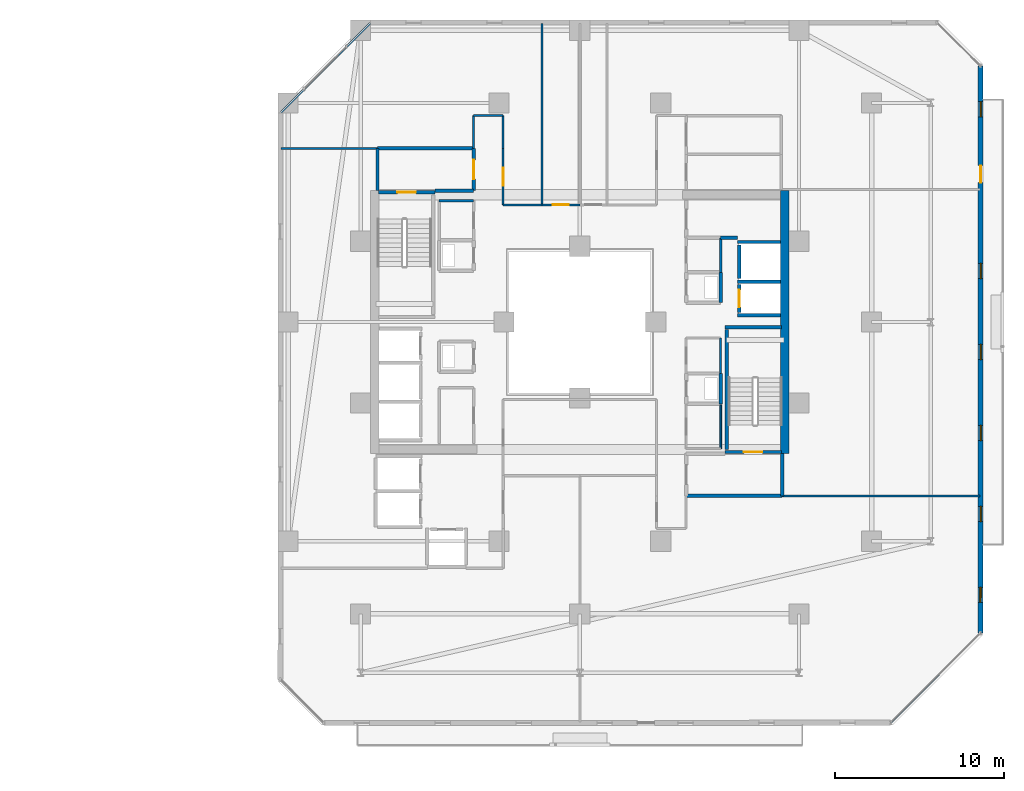
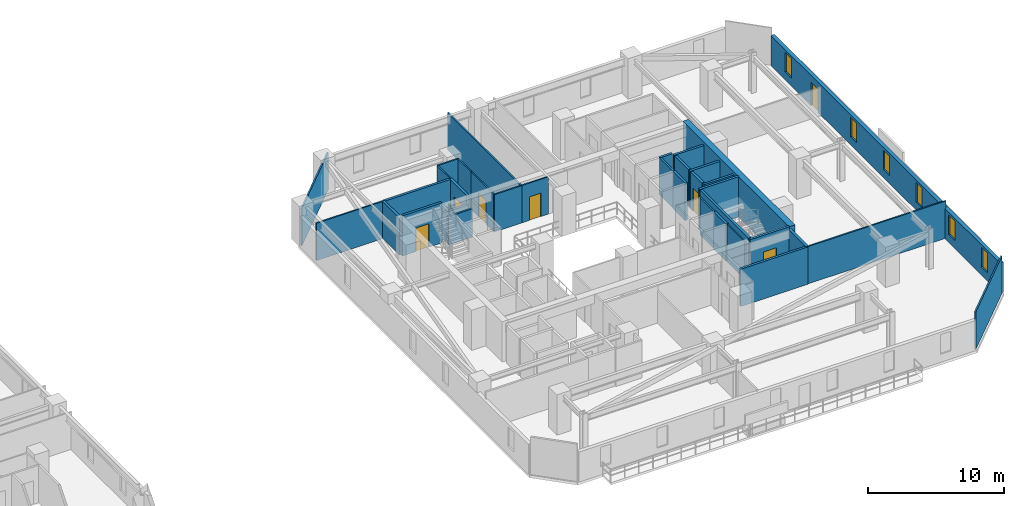
# One storey, part 24 of 33: 35 walls, 7 doors, 6 windows, 13 openings.
"""IFC4 building model written with IfcOpenShell, lengths in metres."""

from ifc_helpers import new_model, si_unit, direction, frame, frame_2d, origin, place, context, subcontext, project, spatial, rectangle, extrude, material, layer, layer_set, type_object, element, fill, save


model = new_model("IFC4")

# Units and contexts
model_context = context("Model", 3, precision=1e-05, world=origin(), true_north=direction((0.0, 1.0)))
body_context = subcontext(model_context, "Body", "Model", "MODEL_VIEW")
ifc_project = project(units=[si_unit("LENGTHUNIT", "METRE"), si_unit("AREAUNIT", "SQUARE_METRE"), si_unit("VOLUMEUNIT", "CUBIC_METRE"), si_unit("PLANEANGLEUNIT", "RADIAN"), si_unit("MASSUNIT", "GRAM", prefix="KILO")], contexts=[model_context])

# Site, building, storey
site_placement = place(None, origin())
site = spatial("IfcSite", under=ifc_project, at=site_placement, CompositionType="ELEMENT")
building_placement = place(site_placement, origin())
building = spatial("IfcBuilding", under=site, at=building_placement, Name="Thornwick Lancets Civic Towers", CompositionType="ELEMENT")
storey_placement = place(building_placement, frame((0.0, 0.0, 130.5)))
storey = spatial("IfcBuildingStorey", under=building, at=storey_placement, Name="L34", CompositionType="ELEMENT", Elevation=130.5)

# Wall, opening, door
ifc_material_1 = material(Name="Concrete blockwork C40/50", Category="masonry")
ifc_layer_1 = layer(ifc_material_1, 0.199951171875, Name="Concrete blockwork C40/50")
ifc_layer_set_1 = layer_set([ifc_layer_1], Name="Concrete blockwork C40/50")
wall_type_1 = type_object("IfcWallType", Name="WALL_COMP_200", PredefinedType="STANDARD", material=ifc_layer_set_1)
wall_1_placement = place(storey_placement, frame((97.949951171875, 29.219970703125, 0.0), z_axis=(0.0, 0.0, 1.0), x_axis=(0.0, -1.0, 0.0)))
wall_1 = element("IfcWall", 1, at=wall_1_placement, inside=storey, type_object=wall_type_1, Name="L34 Hoistway Front Wall FL-B1", PredefinedType="STANDARD", context=body_context, shape_type="SweptSolid", body=[
    extrude(rectangle(XDim=1.639892578125, YDim=0.199951171875, at=frame_2d((0.81982421875, 0.0))), origin(), (0.0, 0.0, 1.0), 3.340087890625),
])
opening_1_placement = place(wall_1_placement, frame((0.31005859375, 0.0, 0.0)))
opening_1 = element("IfcOpeningElement", 2, at=opening_1_placement, cuts=wall_1, Name="Opening LD-FL-B1", PredefinedType="OPENING", context=body_context, shape_type="SweptSolid", body=[
    extrude(rectangle(XDim=1.02001953125, YDim=2.06005859375, at=frame_2d((0.510009765625, 1.030029296875))), frame((0.0, 0.10986328125, 0.0), z_axis=(0.0, -1.0, 0.0), x_axis=(1.0, 0.0, 0.0)), (0.0, 0.0, 1.0), 0.219970703125),
])
ifc_material_2 = material(Name="Brushed bronze stainless steel", Category="steel")
door_type_1 = type_object("IfcDoorType", Name="DOOR_LIFT_SLIDE", OperationType="SLIDING_TO_LEFT", PredefinedType="DOOR", material=ifc_material_2)
door_1_placement = place(opening_1_placement, origin())
door_1 = element("IfcDoor", 3, at=door_1_placement, inside=storey, type_object=door_type_1, Name="L34 Sliding Lift Landing Door LD-FL-B1", OperationType="SLIDING_TO_LEFT", OverallHeight=2.06005859375, OverallWidth=1.02001953125, PredefinedType="DOOR", context=body_context, shape_type="SweptSolid", body=[
    extrude(rectangle(XDim=1.02001953125, YDim=2.06005859375, at=frame_2d((0.510009765625, 1.030029296875))), frame((0.0, 0.02490234375, 0.0), z_axis=(0.0, -1.0, 0.0), x_axis=(1.0, 0.0, 0.0)), (0.0, 0.0, 1.0), 0.050048828125),
])
fill(opening_1, door_1)

# Walls
wall_2_placement = place(storey_placement, frame((97.949951171875, 31.570068359375, 0.0), z_axis=(0.0, 0.0, 1.0), x_axis=(0.0, -1.0, 0.0)))
element("IfcWall", 4, at=wall_2_placement, inside=storey, type_object=wall_type_1, Name="L34 Hoistway Front Wall PL-BH1", PredefinedType="STANDARD", context=body_context, shape_type="SweptSolid", body=[
    extrude(rectangle(XDim=1.989990234375, YDim=0.199951171875, at=frame_2d((0.9951171875, 0.0))), origin(), (0.0, 0.0, 1.0), 3.340087890625),
])
for number, where, z_axis, x_axis, name in (
    (5, (97.85205078125, 29.39990234375, 0.0), (0.0, 0.0, 1.0), (1.0, 0.0, 0.0), "L34 Hoistway Shaft Wall FL-B1 N"),
    (6, (97.85205078125, 27.39990234375, 0.0), (0.0, 0.0, 1.0), (1.0, 0.0, 0.0), "L34 Hoistway Shaft Wall FL-B1 S"),
    (7, (97.85205078125, 31.75, 0.0), (0.0, 0.0, 1.0), (1.0, 0.0, 0.0), "L34 Hoistway Shaft Wall PL-BH1 N"),
):
    element("IfcWall", number, at=place(storey_placement, frame(where, z_axis=z_axis, x_axis=x_axis)), inside=storey, type_object=wall_type_1, Name=name, PredefinedType="STANDARD", context=body_context, shape_type="SweptSolid", body=[
        extrude(rectangle(XDim=2.535888671875, YDim=0.199951171875, at=frame_2d((1.26806640625, 0.0))), origin(), (0.0, 0.0, 1.0), 3.340087890625),
    ])
wall_3_placement = place(storey_placement, frame((94.800048828125, 16.699951171875, 0.0), z_axis=(0.0, 0.0, 1.0), x_axis=(1.0, 0.0, 0.0)))
element("IfcWall", 8, at=wall_3_placement, inside=storey, type_object=wall_type_1, Name="L34 Partition L34-B-FFLOB1 E1", PredefinedType="STANDARD", context=body_context, shape_type="SweptSolid", body=[
    extrude(rectangle(XDim=5.699951171875, YDim=0.199951171875, at=frame_2d((2.85009765625, 0.0))), origin(), (0.0, 0.0, 1.0), 3.340087890625),
])
wall_4_placement = place(storey_placement, frame((100.5, 16.699951171875, 0.0), z_axis=(0.0, 0.0, 1.0), x_axis=(0.0, 1.0, 0.0)))
element("IfcWall", 9, at=wall_4_placement, inside=storey, type_object=wall_type_1, Name="L34 Partition L34-B-FFLOB1 E2", PredefinedType="STANDARD", context=body_context, shape_type="SweptSolid", body=[
    extrude(rectangle(XDim=2.5, YDim=0.199951171875, at=frame_2d((1.25, 0.0))), origin(), (0.0, 0.0, 1.0), 3.340087890625),
])
wall_5_placement = place(storey_placement, frame((79.89990234375, 34.800048828125, 0.0), z_axis=(0.0, 0.0, 1.0), x_axis=(1.0, 0.0, 0.0)))
element("IfcWall", 10, at=wall_5_placement, inside=storey, type_object=wall_type_1, Name="L34 Partition L34-B-FFLOB2 E1", PredefinedType="STANDARD", context=body_context, shape_type="SweptSolid", body=[
    extrude(rectangle(XDim=2.300048828125, YDim=0.199951171875, at=frame_2d((1.14990234375, 0.0))), origin(), (0.0, 0.0, 1.0), 2.544921875),
])

# Wall, opening, door
wall_6_placement = place(storey_placement, frame((82.199951171875, 34.800048828125, 0.0), z_axis=(0.0, 0.0, 1.0), x_axis=(0.0, 1.0, 0.0)))
wall_6 = element("IfcWall", 11, at=wall_6_placement, inside=storey, type_object=wall_type_1, Name="L34 Partition L34-B-FFLOB2 E2", PredefinedType="STANDARD", context=body_context, shape_type="SweptSolid", body=[
    extrude(rectangle(XDim=2.5, YDim=0.199951171875, at=frame_2d((1.25, 0.0))), origin(), (0.0, 0.0, 1.0), 3.340087890625),
])
opening_2_placement = place(wall_6_placement, frame((0.675048828125, 0.0, 0.0)))
opening_2 = element("IfcOpeningElement", 12, at=opening_2_placement, cuts=wall_6, Name="Opening D-L34-1542", PredefinedType="OPENING", context=body_context, shape_type="SweptSolid", body=[
    extrude(rectangle(XDim=1.14990234375, YDim=2.10009765625, at=frame_2d((0.574951171875, 1.050048828125))), frame((0.0, 0.10986328125, 0.0), z_axis=(0.0, -1.0, 0.0), x_axis=(1.0, 0.0, 0.0)), (0.0, 0.0, 1.0), 0.219970703125),
])
ifc_material_3 = material(Name="Glazed fire-resisting steel", Category="steel")
door_type_2 = type_object("IfcDoorType", Name="DOOR_LOBBY_FD60", OperationType="NOTDEFINED", PredefinedType="DOOR", material=ifc_material_3)
door_2_placement = place(opening_2_placement, origin())
door_2 = element("IfcDoor", 13, at=door_2_placement, inside=storey, type_object=door_type_2, Name="L34 West Firefighting Lobby 2 Door", OperationType="SINGLE_SWING_LEFT", OverallHeight=2.10009765625, OverallWidth=1.14990234375, PredefinedType="DOOR", context=body_context, shape_type="SweptSolid", body=[
    extrude(rectangle(XDim=1.14990234375, YDim=2.10009765625, at=frame_2d((0.574951171875, 1.050048828125))), frame((0.0, 0.02490234375, 0.0), z_axis=(0.0, -1.0, 0.0), x_axis=(1.0, 0.0, 0.0)), (0.0, 0.0, 1.0), 0.050048828125),
])
fill(opening_2, door_2)

# Walls
wall_7_placement = place(storey_placement, frame((82.199951171875, 37.300048828125, 0.0), z_axis=(0.0, 0.0, 1.0), x_axis=(-1.0, 0.0, 0.0)))
element("IfcWall", 14, at=wall_7_placement, inside=storey, type_object=wall_type_1, Name="L34 Partition L34-B-FFLOB2 E3", PredefinedType="STANDARD", context=body_context, shape_type="SweptSolid", body=[
    extrude(rectangle(XDim=5.699951171875, YDim=0.199951171875, at=frame_2d((2.85009765625, 0.0))), origin(), (0.0, 0.0, 1.0), 3.340087890625),
])
wall_8_placement = place(storey_placement, frame((76.5, 37.300048828125, 0.0), z_axis=(0.0, 0.0, 1.0), x_axis=(0.0, -1.0, 0.0)))
element("IfcWall", 15, at=wall_8_placement, inside=storey, type_object=wall_type_1, Name="L34 Partition L34-B-FFLOB2 E4", PredefinedType="STANDARD", context=body_context, shape_type="SweptSolid", body=[
    extrude(rectangle(XDim=2.5, YDim=0.199951171875, at=frame_2d((1.25, 0.0))), origin(), (0.0, 0.0, 1.0), 3.340087890625),
])
for number, where, z_axis, x_axis, name in (
    (16, (96.85009765625, 28.14990234375, 0.0), (0.0, 0.0, 1.0), (0.0, 1.0, 0.0), "L34 Partition L34-B-DUCT1 E2"),
    (17, (96.85009765625, 22.14990234375, 0.0), (0.0, 0.0, 1.0), (0.0, 1.0, 0.0), "L34 Partition L34-B-RISER1 E2"),
):
    element("IfcWall", number, at=place(storey_placement, frame(where, z_axis=z_axis, x_axis=x_axis)), inside=storey, type_object=wall_type_1, Name=name, PredefinedType="STANDARD", context=body_context, shape_type="SweptSolid", body=[
        extrude(rectangle(XDim=1.800048828125, YDim=0.199951171875, at=frame_2d((0.89990234375, 0.0))), origin(), (0.0, 0.0, 1.0), 3.340087890625),
    ])
wall_9_placement = place(storey_placement, frame((97.85205078125, 32.0, 0.0), z_axis=(0.0, 0.0, 1.0), x_axis=(-1.0, 0.0, 0.0)))
element("IfcWall", 18, at=wall_9_placement, inside=storey, type_object=wall_type_1, Name="L34 Partition L34-B-STR2 E4", PredefinedType="STANDARD", context=body_context, shape_type="SweptSolid", body=[
    extrude(rectangle(XDim=1.001953125, YDim=0.199951171875, at=frame_2d((0.5009765625, 0.0))), origin(), (0.0, 0.0, 1.0), 3.340087890625),
])
ifc_material_4 = material(Name="Concrete C50/60", Category="concrete")
ifc_layer_2 = layer(ifc_material_4, 0.5, Name="Concrete C50/60")
ifc_layer_set_2 = layer_set([ifc_layer_2], Name="Concrete C50/60")
wall_type_2 = type_object("IfcWallType", Name="WALL_CORE_500", PredefinedType="SHEAR", material=ifc_layer_set_2)
wall_10_placement = place(storey_placement, frame((100.64990234375, 19.199951171875, 0.0), z_axis=(0.0, 0.0, 1.0), x_axis=(0.0, 1.0, 0.0)))
element("IfcWall", 19, at=wall_10_placement, inside=storey, type_object=wall_type_2, Name="L34 Split Core B1 Shear Wall E", PredefinedType="SHEAR", context=body_context, shape_type="SweptSolid", body=[
    extrude(rectangle(XDim=15.60009765625, YDim=0.5, at=frame_2d((7.800048828125, 0.0))), origin(), (0.0, 0.0, 1.0), 3.60009765625),
])

# Wall, openings, door, windows
ifc_material_5 = material(Name="Insulated russet terracotta rainscreen on concrete C40/50", Category="masonry")
ifc_layer_3 = layer(ifc_material_5, 0.300048828125, Name="Insulated russet terracotta rainscreen on concrete C40/50")
ifc_layer_set_3 = layer_set([ifc_layer_3], Name="Insulated russet terracotta rainscreen on concrete C40/50")
wall_type_3 = type_object("IfcWallType", Name="WALL_EXT_RUSSET_300", PredefinedType="STANDARD", material=ifc_layer_set_3)
wall_11_placement = place(storey_placement, frame((112.255615234375, 8.576416015625, 0.0), z_axis=(0.0, 0.0, 1.0), x_axis=(0.000268805477, 0.999999963872, 0.0)))
wall_11 = element("IfcWall", 20, at=wall_11_placement, inside=storey, type_object=wall_type_3, Name="L34 Tower B Terracotta Facade Wall E2", PredefinedType="STANDARD", context=body_context, shape_type="SweptSolid", body=[
    extrude(rectangle(XDim=33.60498046875, YDim=0.300048828125, at=frame_2d((16.802490234375, 0.0))), origin(), (0.0, 0.0, 1.0), 2.699951171875),
])
opening_3_placement = place(wall_11_placement, frame((26.702392578125, 0.0, 0.0)))
opening_3 = element("IfcOpeningElement", 21, at=opening_3_placement, cuts=wall_11, Name="Opening D-BL-L34-BE", PredefinedType="OPENING", context=body_context, shape_type="SweptSolid", body=[
    extrude(rectangle(XDim=1.0, YDim=2.080078125, at=frame_2d((0.5, 1.0400390625))), frame((0.0, 0.16015625, 0.0), z_axis=(0.0, -1.0, 0.0), x_axis=(1.0, 0.0, 0.0)), (0.0, 0.0, 1.0), 0.320068359375),
])
opening_4_placement = place(wall_11_placement, frame((1.800048828125, 0.0, 0.719970703125)))
opening_4 = element("IfcOpeningElement", 22, at=opening_4_placement, cuts=wall_11, Name="Opening WL-01", PredefinedType="OPENING", context=body_context, shape_type="SweptSolid", body=[
    extrude(rectangle(XDim=0.89990234375, YDim=1.75, at=frame_2d((0.449951171875, 0.875))), frame((0.0, 0.16015625, 0.0), z_axis=(0.0, -1.0, 0.0), x_axis=(1.0, 0.0, 0.0)), (0.0, 0.0, 1.0), 0.320068359375),
])
opening_5_placement = place(wall_11_placement, frame((6.60009765625, 0.0, 0.719970703125)))
opening_5 = element("IfcOpeningElement", 23, at=opening_5_placement, cuts=wall_11, Name="Opening WL-01", PredefinedType="OPENING", context=body_context, shape_type="SweptSolid", body=[
    extrude(rectangle(XDim=0.89990234375, YDim=1.75, at=frame_2d((0.449951171875, 0.875))), frame((0.0, 0.16015625, 0.0), z_axis=(0.0, -1.0, 0.0), x_axis=(1.0, 0.0, 0.0)), (0.0, 0.0, 1.0), 0.320068359375),
])
opening_6_placement = place(wall_11_placement, frame((11.39990234375, 0.0, 0.719970703125)))
opening_6 = element("IfcOpeningElement", 24, at=opening_6_placement, cuts=wall_11, Name="Opening WL-01", PredefinedType="OPENING", context=body_context, shape_type="SweptSolid", body=[
    extrude(rectangle(XDim=0.89990234375, YDim=1.75, at=frame_2d((0.449951171875, 0.875))), frame((0.0, 0.16015625, 0.0), z_axis=(0.0, -1.0, 0.0), x_axis=(1.0, 0.0, 0.0)), (0.0, 0.0, 1.0), 0.320068359375),
])
opening_7_placement = place(wall_11_placement, frame((16.199951171875, 0.0, 0.719970703125)))
opening_7 = element("IfcOpeningElement", 25, at=opening_7_placement, cuts=wall_11, Name="Opening WL-01", PredefinedType="OPENING", context=body_context, shape_type="SweptSolid", body=[
    extrude(rectangle(XDim=0.89990234375, YDim=1.75, at=frame_2d((0.449951171875, 0.875))), frame((0.0, 0.16015625, 0.0), z_axis=(0.0, -1.0, 0.0), x_axis=(1.0, 0.0, 0.0)), (0.0, 0.0, 1.0), 0.320068359375),
])
opening_8_placement = place(wall_11_placement, frame((21.0, 0.0, 0.719970703125)))
opening_8 = element("IfcOpeningElement", 26, at=opening_8_placement, cuts=wall_11, Name="Opening WL-01", PredefinedType="OPENING", context=body_context, shape_type="SweptSolid", body=[
    extrude(rectangle(XDim=0.89990234375, YDim=1.75, at=frame_2d((0.449951171875, 0.875))), frame((0.0, 0.16015625, 0.0), z_axis=(0.0, -1.0, 0.0), x_axis=(1.0, 0.0, 0.0)), (0.0, 0.0, 1.0), 0.320068359375),
])
opening_9_placement = place(wall_11_placement, frame((30.60009765625, 0.0, 0.719970703125)))
opening_9 = element("IfcOpeningElement", 27, at=opening_9_placement, cuts=wall_11, Name="Opening WL-01", PredefinedType="OPENING", context=body_context, shape_type="SweptSolid", body=[
    extrude(rectangle(XDim=0.89990234375, YDim=1.75, at=frame_2d((0.449951171875, 0.875))), frame((0.0, 0.16015625, 0.0), z_axis=(0.0, -1.0, 0.0), x_axis=(1.0, 0.0, 0.0)), (0.0, 0.0, 1.0), 0.320068359375),
])
ifc_material_6 = material(Name="Thermally broken glazed loggia doorset")
door_type_3 = type_object("IfcDoorType", Name="DOOR_BALC_1000", OperationType="NOTDEFINED", PredefinedType="DOOR", material=ifc_material_6)
door_3_placement = place(opening_3_placement, origin())
door_3 = element("IfcDoor", 28, at=door_3_placement, inside=storey, type_object=door_type_3, Name="L34 Tower B Loggia Balcony Door E", OperationType="SINGLE_SWING_LEFT", OverallHeight=2.080078125, OverallWidth=1.0, PredefinedType="DOOR", context=body_context, shape_type="SweptSolid", body=[
    extrude(rectangle(XDim=1.0, YDim=2.080078125, at=frame_2d((0.5, 1.0400390625))), frame((0.0, 0.02490234375, 0.0), z_axis=(0.0, -1.0, 0.0), x_axis=(1.0, 0.0, 0.0)), (0.0, 0.0, 1.0), 0.050048828125),
])
fill(opening_3, door_3)
ifc_material_7 = material(Name="Clear low-e double glazing in bronze frame", Category="glass")
window_type = type_object("IfcWindowType", Name="WIN_LANCET_900", PartitioningType="SINGLE_PANEL", PredefinedType="WINDOW", material=ifc_material_7)
window_1_placement = place(opening_4_placement, origin())
window_1 = element("IfcWindow", 29, at=window_1_placement, inside=storey, type_object=window_type, Name="L34 Tower B Staggered Lancet Window E2-1", OverallHeight=1.75, OverallWidth=0.89990234375, PartitioningType="SINGLE_PANEL", PredefinedType="WINDOW", context=body_context, shape_type="SweptSolid", body=[
    extrude(rectangle(XDim=0.89990234375, YDim=1.75, at=frame_2d((0.449951171875, 0.875))), frame((0.0, 0.030029296875, 0.0), z_axis=(0.0, -1.0, 0.0), x_axis=(1.0, 0.0, 0.0)), (0.0, 0.0, 1.0), 0.06005859375),
])
fill(opening_4, window_1)
window_2_placement = place(opening_5_placement, origin())
window_2 = element("IfcWindow", 30, at=window_2_placement, inside=storey, type_object=window_type, Name="L34 Tower B Staggered Lancet Window E2-2", OverallHeight=1.75, OverallWidth=0.89990234375, PartitioningType="SINGLE_PANEL", PredefinedType="WINDOW", context=body_context, shape_type="SweptSolid", body=[
    extrude(rectangle(XDim=0.89990234375, YDim=1.75, at=frame_2d((0.449951171875, 0.875))), frame((0.0, 0.030029296875, 0.0), z_axis=(0.0, -1.0, 0.0), x_axis=(1.0, 0.0, 0.0)), (0.0, 0.0, 1.0), 0.06005859375),
])
fill(opening_5, window_2)
window_3_placement = place(opening_6_placement, origin())
window_3 = element("IfcWindow", 31, at=window_3_placement, inside=storey, type_object=window_type, Name="L34 Tower B Staggered Lancet Window E2-3", OverallHeight=1.75, OverallWidth=0.89990234375, PartitioningType="SINGLE_PANEL", PredefinedType="WINDOW", context=body_context, shape_type="SweptSolid", body=[
    extrude(rectangle(XDim=0.89990234375, YDim=1.75, at=frame_2d((0.449951171875, 0.875))), frame((0.0, 0.030029296875, 0.0), z_axis=(0.0, -1.0, 0.0), x_axis=(1.0, 0.0, 0.0)), (0.0, 0.0, 1.0), 0.06005859375),
])
fill(opening_6, window_3)
window_4_placement = place(opening_7_placement, origin())
window_4 = element("IfcWindow", 32, at=window_4_placement, inside=storey, type_object=window_type, Name="L34 Tower B Staggered Lancet Window E2-4", OverallHeight=1.75, OverallWidth=0.89990234375, PartitioningType="SINGLE_PANEL", PredefinedType="WINDOW", context=body_context, shape_type="SweptSolid", body=[
    extrude(rectangle(XDim=0.89990234375, YDim=1.75, at=frame_2d((0.449951171875, 0.875))), frame((0.0, 0.030029296875, 0.0), z_axis=(0.0, -1.0, 0.0), x_axis=(1.0, 0.0, 0.0)), (0.0, 0.0, 1.0), 0.06005859375),
])
fill(opening_7, window_4)
window_5_placement = place(opening_8_placement, origin())
window_5 = element("IfcWindow", 33, at=window_5_placement, inside=storey, type_object=window_type, Name="L34 Tower B Staggered Lancet Window E2-5", OverallHeight=1.75, OverallWidth=0.89990234375, PartitioningType="SINGLE_PANEL", PredefinedType="WINDOW", context=body_context, shape_type="SweptSolid", body=[
    extrude(rectangle(XDim=0.89990234375, YDim=1.75, at=frame_2d((0.449951171875, 0.875))), frame((0.0, 0.030029296875, 0.0), z_axis=(0.0, -1.0, 0.0), x_axis=(1.0, 0.0, 0.0)), (0.0, 0.0, 1.0), 0.06005859375),
])
fill(opening_8, window_5)
window_6_placement = place(opening_9_placement, origin())
window_6 = element("IfcWindow", 34, at=window_6_placement, inside=storey, type_object=window_type, Name="L34 Tower B Staggered Lancet Window E2-6", OverallHeight=1.75, OverallWidth=0.89990234375, PartitioningType="SINGLE_PANEL", PredefinedType="WINDOW", context=body_context, shape_type="SweptSolid", body=[
    extrude(rectangle(XDim=0.89990234375, YDim=1.75, at=frame_2d((0.449951171875, 0.875))), frame((0.0, 0.030029296875, 0.0), z_axis=(0.0, -1.0, 0.0), x_axis=(1.0, 0.0, 0.0)), (0.0, 0.0, 1.0), 0.06005859375),
])
fill(opening_9, window_6)

# Walls
ifc_material_8 = material(Name="Lightweight cellular office partition")
ifc_layer_4 = layer(ifc_material_8, 0.10009765625, Name="Lightweight cellular office partition")
ifc_layer_set_4 = layer_set([ifc_layer_4], Name="Lightweight cellular office partition")
wall_type_4 = type_object("IfcWallType", Name="WALL_PART_100", PredefinedType="PARTITIONING", material=ifc_layer_set_4)
wall_12_placement = place(storey_placement, frame((96.85009765625, 19.5, 0.0), z_axis=(0.0, 0.0, 1.0), x_axis=(0.0, 1.0, 0.0)))
element("IfcWall", 35, at=wall_12_placement, inside=storey, type_object=wall_type_4, Name="L34 Partition L34-B-CLN E2", PredefinedType="PARTITIONING", context=body_context, shape_type="SweptSolid", body=[
    extrude(rectangle(XDim=2.60009765625, YDim=0.10009765625, at=frame_2d((1.300048828125, 0.0))), origin(), (0.0, 0.0, 1.0), 3.340087890625),
])
ifc_material_9 = material(Name="Acoustic gypsum board partition")
ifc_layer_5 = layer(ifc_material_9, 0.1201171875, Name="Acoustic gypsum board partition")
ifc_layer_set_5 = layer_set([ifc_layer_5], Name="Acoustic gypsum board partition")
wall_type_5 = type_object("IfcWallType", Name="WALL_PART_120", PredefinedType="PARTITIONING", material=ifc_layer_set_5)
wall_13_placement = place(storey_placement, frame((96.85009765625, 26.050048828125, 0.0), z_axis=(0.0, 0.0, 1.0), x_axis=(0.0, -1.0, 0.0)))
element("IfcWall", 36, at=wall_13_placement, inside=storey, type_object=wall_type_5, Name="L34 Partition L34-B-ITR E3", PredefinedType="PARTITIONING", context=body_context, shape_type="SweptSolid", body=[
    extrude(rectangle(XDim=2.10009765625, YDim=0.1201171875, at=frame_2d((1.050048828125, 0.0))), origin(), (0.0, 0.0, 1.0), 3.340087890625),
])
wall_14_placement = place(storey_placement, frame((100.5, 16.699951171875, 0.0), z_axis=(0.0, 0.0, 1.0), x_axis=(1.0, 0.0, 0.0)))
element("IfcWall", 37, at=wall_14_placement, inside=storey, type_object=wall_type_5, Name="L34 Partition L34-B-W1 E9", PredefinedType="PARTITIONING", context=body_context, shape_type="SweptSolid", body=[
    extrude(rectangle(XDim=11.719970703125, YDim=0.1201171875, at=frame_2d((5.85986328125, 0.0))), origin(), (0.0, 0.0, 1.0), 3.340087890625),
])
wall_15_placement = place(storey_placement, frame((112.219970703125, 8.543701171875, 0.0), z_axis=(0.0, 0.0, 1.0), x_axis=(-0.707106781187, -0.707106781187, 0.0)))
element("IfcWall", 38, at=wall_15_placement, inside=storey, type_object=wall_type_5, Name="L34 Partition L34-B-W1 E11", PredefinedType="PARTITIONING", context=body_context, shape_type="SweptSolid", body=[
    extrude(rectangle(XDim=7.44384765625, YDim=0.1201171875, at=frame_2d((3.721923828125, 0.0))), origin(), (0.0, 0.0, 1.0), 3.340087890625),
])
wall_16_placement = place(storey_placement, frame((86.25, 33.949951171875, 0.0), z_axis=(0.0, 0.0, 1.0), x_axis=(0.0, 1.0, 0.0)))
element("IfcWall", 39, at=wall_16_placement, inside=storey, type_object=wall_type_5, Name="L34 Partition L34-B-E3 E1", PredefinedType="PARTITIONING", context=body_context, shape_type="SweptSolid", body=[
    extrude(rectangle(XDim=10.77001953125, YDim=0.1201171875, at=frame_2d((5.385009765625, 0.0))), origin(), (0.0, 0.0, 1.0), 3.340087890625),
])

# Wall, opening, door
wall_17_placement = place(storey_placement, frame((88.5, 33.949951171875, 0.0), z_axis=(0.0, 0.0, 1.0), x_axis=(-1.0, 0.0, 0.0)))
wall_17 = element("IfcWall", 40, at=wall_17_placement, inside=storey, type_object=wall_type_5, Name="L34 Partition L34-B-E3 E4", PredefinedType="PARTITIONING", context=body_context, shape_type="SweptSolid", body=[
    extrude(rectangle(XDim=2.25, YDim=0.1201171875, at=frame_2d((1.125, 0.0))), origin(), (0.0, 0.0, 1.0), 3.340087890625),
])
opening_10_placement = place(wall_17_placement, frame((0.64990234375, 0.0, 0.0)))
opening_10 = element("IfcOpeningElement", 41, at=opening_10_placement, cuts=wall_17, Name="Opening D-L34-1569", PredefinedType="OPENING", context=body_context, shape_type="SweptSolid", body=[
    extrude(rectangle(XDim=0.949951171875, YDim=2.10009765625, at=frame_2d((0.47509765625, 1.050048828125))), frame((0.0, 0.070068359375, 0.0), z_axis=(0.0, -1.0, 0.0), x_axis=(1.0, 0.0, 0.0)), (0.0, 0.0, 1.0), 0.14013671875),
])
ifc_material_10 = material(Name="European oak acoustic doorset")
door_type_4 = type_object("IfcDoorType", Name="DOOR_OFFICE_950", OperationType="NOTDEFINED", PredefinedType="DOOR", material=ifc_material_10)
door_4_placement = place(opening_10_placement, origin())
door_4 = element("IfcDoor", 42, at=door_4_placement, inside=storey, type_object=door_type_4, Name="L34 Tower B Civic Seminar Room Door", OperationType="SINGLE_SWING_RIGHT", OverallHeight=2.10009765625, OverallWidth=0.949951171875, PredefinedType="DOOR", context=body_context, shape_type="SweptSolid", body=[
    extrude(rectangle(XDim=0.949951171875, YDim=2.10009765625, at=frame_2d((0.47509765625, 1.050048828125))), frame((0.0, 0.02490234375, 0.0), z_axis=(0.0, -1.0, 0.0), x_axis=(1.0, 0.0, 0.0)), (0.0, 0.0, 1.0), 0.050048828125),
])
fill(opening_10, door_4)

wall_18_placement = place(storey_placement, frame((83.949951171875, 33.949951171875, 0.0), z_axis=(0.0, 0.0, 1.0), x_axis=(0.0, 1.0, 0.0)))
wall_18 = element("IfcWall", 43, at=wall_18_placement, inside=storey, type_object=wall_type_5, Name="L34 Partition L34-B-E4 E1", PredefinedType="PARTITIONING", context=body_context, shape_type="SweptSolid", body=[
    extrude(rectangle(XDim=3.35009765625, YDim=0.1201171875, at=frame_2d((1.675048828125, 0.0))), origin(), (0.0, 0.0, 1.0), 3.340087890625),
])
opening_11_placement = place(wall_18_placement, frame((1.14990234375, 0.0, 0.0)))
opening_11 = element("IfcOpeningElement", 44, at=opening_11_placement, cuts=wall_18, Name="Opening D-L34-1570", PredefinedType="OPENING", context=body_context, shape_type="SweptSolid", body=[
    extrude(rectangle(XDim=1.050048828125, YDim=2.10009765625, at=frame_2d((0.52490234375, 1.050048828125))), frame((0.0, 0.070068359375, 0.0), z_axis=(0.0, -1.0, 0.0), x_axis=(1.0, 0.0, 0.0)), (0.0, 0.0, 1.0), 0.14013671875),
])
ifc_material_11 = material(Name="Glazed European oak executive doorset")
door_type_5 = type_object("IfcDoorType", Name="DOOR_OFFICE_1050", OperationType="NOTDEFINED", PredefinedType="DOOR", material=ifc_material_11)
door_5_placement = place(opening_11_placement, origin())
door_5 = element("IfcDoor", 45, at=door_5_placement, inside=storey, type_object=door_type_5, Name="L34 Tower B Counsel Chambers Office E4 Door", OperationType="SINGLE_SWING_LEFT", OverallHeight=2.10009765625, OverallWidth=1.050048828125, PredefinedType="DOOR", context=body_context, shape_type="SweptSolid", body=[
    extrude(rectangle(XDim=1.050048828125, YDim=2.10009765625, at=frame_2d((0.52490234375, 1.050048828125))), frame((0.0, 0.02490234375, 0.0), z_axis=(0.0, -1.0, 0.0), x_axis=(1.0, 0.0, 0.0)), (0.0, 0.0, 1.0), 0.050048828125),
])
fill(opening_11, door_5)

# Walls
wall_19_placement = place(storey_placement, frame((83.949951171875, 37.300048828125, 0.0), z_axis=(0.0, 0.0, 1.0), x_axis=(0.0, 1.0, 0.0)))
element("IfcWall", 46, at=wall_19_placement, inside=storey, type_object=wall_type_5, Name="L34 Partition L34-B-E4 E2", PredefinedType="PARTITIONING", context=body_context, shape_type="SweptSolid", body=[
    extrude(rectangle(XDim=1.949951171875, YDim=0.1201171875, at=frame_2d((0.97509765625, 0.0))), origin(), (0.0, 0.0, 1.0), 3.340087890625),
])
wall_20_placement = place(storey_placement, frame((83.949951171875, 39.25, 0.0), z_axis=(0.0, 0.0, 1.0), x_axis=(-1.0, 0.0, 0.0)))
element("IfcWall", 47, at=wall_20_placement, inside=storey, type_object=wall_type_5, Name="L34 Partition L34-B-E4 E3", PredefinedType="PARTITIONING", context=body_context, shape_type="SweptSolid", body=[
    extrude(rectangle(XDim=1.75, YDim=0.1201171875, at=frame_2d((0.875, 0.0))), origin(), (0.0, 0.0, 1.0), 3.340087890625),
])
wall_21_placement = place(storey_placement, frame((82.199951171875, 39.25, 0.0), z_axis=(0.0, 0.0, 1.0), x_axis=(0.0, -1.0, 0.0)))
element("IfcWall", 48, at=wall_21_placement, inside=storey, type_object=wall_type_5, Name="L34 Partition L34-B-E4 E4", PredefinedType="PARTITIONING", context=body_context, shape_type="SweptSolid", body=[
    extrude(rectangle(XDim=1.949951171875, YDim=0.1201171875, at=frame_2d((0.97509765625, 0.0))), origin(), (0.0, 0.0, 1.0), 3.340087890625),
])
wall_22_placement = place(storey_placement, frame((76.5, 37.300048828125, 0.0), z_axis=(0.0, 0.0, 1.0), x_axis=(-1.0, 0.0, 0.0)))
element("IfcWall", 49, at=wall_22_placement, inside=storey, type_object=wall_type_5, Name="L34 Partition L34-B-E4 E6", PredefinedType="PARTITIONING", context=body_context, shape_type="SweptSolid", body=[
    extrude(rectangle(XDim=5.719970703125, YDim=0.1201171875, at=frame_2d((2.85986328125, 0.0))), origin(), (0.0, 0.0, 1.0), 3.340087890625),
])
wall_23_placement = place(storey_placement, frame((70.780029296875, 39.456298828125, 0.0), z_axis=(0.0, 0.0, 1.0), x_axis=(0.707106781187, 0.707106781187, 0.0)))
element("IfcWall", 50, at=wall_23_placement, inside=storey, type_object=wall_type_5, Name="L34 Partition L34-B-E4 E8", PredefinedType="PARTITIONING", context=body_context, shape_type="SweptSolid", body=[
    extrude(rectangle(XDim=7.44384765625, YDim=0.1201171875, at=frame_2d((3.721923828125, 0.0))), origin(), (0.0, 0.0, 1.0), 3.340087890625),
])
wall_24_placement = place(storey_placement, frame((86.25, 33.949951171875, 0.0), z_axis=(0.0, 0.0, 1.0), x_axis=(-1.0, 0.0, 0.0)))
element("IfcWall", 51, at=wall_24_placement, inside=storey, type_object=wall_type_5, Name="L34 Partition L34-B-E4 E11", PredefinedType="PARTITIONING", context=body_context, shape_type="SweptSolid", body=[
    extrude(rectangle(XDim=2.300048828125, YDim=0.1201171875, at=frame_2d((1.14990234375, 0.0))), origin(), (0.0, 0.0, 1.0), 3.340087890625),
])
ifc_material_12 = material(Name="Twin-stud acoustic gypsum board")
ifc_layer_6 = layer(ifc_material_12, 0.14990234375, Name="Twin-stud acoustic gypsum board")
ifc_layer_set_6 = layer_set([ifc_layer_6], Name="Twin-stud acoustic gypsum board")
wall_type_6 = type_object("IfcWallType", Name="WALL_PART_150", PredefinedType="PARTITIONING", material=ifc_layer_set_6)
wall_25_placement = place(storey_placement, frame((96.85009765625, 32.0, 0.0), z_axis=(0.0, 0.0, 1.0), x_axis=(0.0, -1.0, 0.0)))
element("IfcWall", 52, at=wall_25_placement, inside=storey, type_object=wall_type_6, Name="L34 Partition L34-B-AWC E3", PredefinedType="PARTITIONING", context=body_context, shape_type="SweptSolid", body=[
    extrude(rectangle(XDim=2.050048828125, YDim=0.14990234375, at=frame_2d((1.02490234375, 0.0))), origin(), (0.0, 0.0, 1.0), 3.340087890625),
])
wall_26_placement = place(storey_placement, frame((80.14990234375, 34.199951171875, 0.0), z_axis=(0.0, 0.0, 1.0), x_axis=(1.0, 0.0, 0.0)))
element("IfcWall", 53, at=wall_26_placement, inside=storey, type_object=wall_type_6, Name="L34 Partition L34-B-FWC E2", PredefinedType="PARTITIONING", context=body_context, shape_type="SweptSolid", body=[
    extrude(rectangle(XDim=2.050048828125, YDim=0.14990234375, at=frame_2d((1.02490234375, 0.0))), origin(), (0.0, 0.0, 1.0), 2.544921875),
])

# Wall, opening, door
ifc_material_13 = material(Name="Concrete C40/50", Category="concrete")
ifc_layer_7 = layer(ifc_material_13, 0.199951171875, Name="Concrete C40/50")
ifc_layer_set_7 = layer_set([ifc_layer_7], Name="Concrete C40/50")
wall_type_7 = type_object("IfcWallType", Name="WALL_SHAFT_200", PredefinedType="SHEAR", material=ifc_layer_set_7)
wall_27_placement = place(storey_placement, frame((100.449951171875, 19.300048828125, 0.0), z_axis=(0.0, 0.0, 1.0), x_axis=(-1.0, 0.0, 0.0)))
wall_27 = element("IfcWall", 54, at=wall_27_placement, inside=storey, type_object=wall_type_7, Name="L34 ST-B1 Fire Stair Core Wall NEAR", PredefinedType="SHEAR", context=body_context, shape_type="SweptSolid", body=[
    extrude(rectangle(XDim=3.349853515625, YDim=0.199951171875, at=frame_2d((1.6748046875, 0.0))), origin(), (0.0, 0.0, 1.0), 3.60009765625),
])
opening_12_placement = place(wall_27_placement, frame((1.125, 0.0, 0.0)))
opening_12 = element("IfcOpeningElement", 55, at=opening_12_placement, cuts=wall_27, Name="Opening D-ST-B1-L34", PredefinedType="OPENING", context=body_context, shape_type="SweptSolid", body=[
    extrude(rectangle(XDim=1.10009765625, YDim=2.10009765625, at=frame_2d((0.550048828125, 1.050048828125))), frame((0.0, 0.10986328125, 0.0), z_axis=(0.0, -1.0, 0.0), x_axis=(1.0, 0.0, 0.0)), (0.0, 0.0, 1.0), 0.219970703125),
])
ifc_material_14 = material(Name="Fire-resisting steel and hardwood", Category="steel")
door_type_6 = type_object("IfcDoorType", Name="DOOR_STAIR_FD60", OperationType="NOTDEFINED", PredefinedType="DOOR", material=ifc_material_14)
door_6_placement = place(opening_12_placement, origin())
door_6 = element("IfcDoor", 56, at=door_6_placement, inside=storey, type_object=door_type_6, Name="L34 ST-B1 Exit Stair Door", OperationType="SINGLE_SWING_RIGHT", OverallHeight=2.10009765625, OverallWidth=1.10009765625, PredefinedType="DOOR", context=body_context, shape_type="SweptSolid", body=[
    extrude(rectangle(XDim=1.10009765625, YDim=2.10009765625, at=frame_2d((0.550048828125, 1.050048828125))), frame((0.0, 0.02490234375, 0.0), z_axis=(0.0, -1.0, 0.0), x_axis=(1.0, 0.0, 0.0)), (0.0, 0.0, 1.0), 0.050048828125),
])
fill(opening_12, door_6)

# Walls
wall_28_placement = place(storey_placement, frame((97.10009765625, 26.699951171875, 0.0), z_axis=(0.0, 0.0, 1.0), x_axis=(1.0, 0.0, 0.0)))
element("IfcWall", 57, at=wall_28_placement, inside=storey, type_object=wall_type_7, Name="L34 ST-B1 Fire Stair Core Wall FAR", PredefinedType="SHEAR", context=body_context, shape_type="SweptSolid", body=[
    extrude(rectangle(XDim=3.349853515625, YDim=0.199951171875, at=frame_2d((1.6748046875, 0.0))), origin(), (0.0, 0.0, 1.0), 3.60009765625),
])
wall_29_placement = place(storey_placement, frame((97.202880859375, 26.550048828125, 0.0), z_axis=(0.0, 0.0, 1.0), x_axis=(0.0, -1.0, 0.0)))
element("IfcWall", 58, at=wall_29_placement, inside=storey, type_object=wall_type_7, Name="L34 ST-B1 Fire Stair Core Wall RIGHT", PredefinedType="SHEAR", context=body_context, shape_type="SweptSolid", body=[
    extrude(rectangle(XDim=7.10009765625, YDim=0.199951171875, at=frame_2d((3.550048828125, 0.0))), origin(), (0.0, 0.0, 1.0), 3.60009765625),
])

# Wall, opening, door
wall_30_placement = place(storey_placement, frame((76.550048828125, 34.699951171875, 0.0), z_axis=(0.0, 0.0, 1.0), x_axis=(1.0, 0.0, 0.0)))
wall_30 = element("IfcWall", 59, at=wall_30_placement, inside=storey, type_object=wall_type_7, Name="L34 ST-B2 Fire Stair Core Wall NEAR", PredefinedType="SHEAR", context=body_context, shape_type="SweptSolid", body=[
    extrude(rectangle(XDim=3.349853515625, YDim=0.199951171875, at=frame_2d((1.6748046875, 0.0))), origin(), (0.0, 0.0, 1.0), 3.60009765625),
])
opening_13_placement = place(wall_30_placement, frame((1.125, 0.0, 0.0)))
opening_13 = element("IfcOpeningElement", 60, at=opening_13_placement, cuts=wall_30, Name="Opening D-ST-B2-L34", PredefinedType="OPENING", context=body_context, shape_type="SweptSolid", body=[
    extrude(rectangle(XDim=1.10009765625, YDim=2.10009765625, at=frame_2d((0.550048828125, 1.050048828125))), frame((0.0, 0.10986328125, 0.0), z_axis=(0.0, -1.0, 0.0), x_axis=(1.0, 0.0, 0.0)), (0.0, 0.0, 1.0), 0.219970703125),
])
door_7_placement = place(opening_13_placement, origin())
door_7 = element("IfcDoor", 61, at=door_7_placement, inside=storey, type_object=door_type_6, Name="L34 ST-B2 Exit Stair Door", OperationType="SINGLE_SWING_LEFT", OverallHeight=2.10009765625, OverallWidth=1.10009765625, PredefinedType="DOOR", context=body_context, shape_type="SweptSolid", body=[
    extrude(rectangle(XDim=1.10009765625, YDim=2.10009765625, at=frame_2d((0.550048828125, 1.050048828125))), frame((0.0, 0.02490234375, 0.0), z_axis=(0.0, -1.0, 0.0), x_axis=(1.0, 0.0, 0.0)), (0.0, 0.0, 1.0), 0.050048828125),
])
fill(opening_13, door_7)

save(model, "model.ifc")
